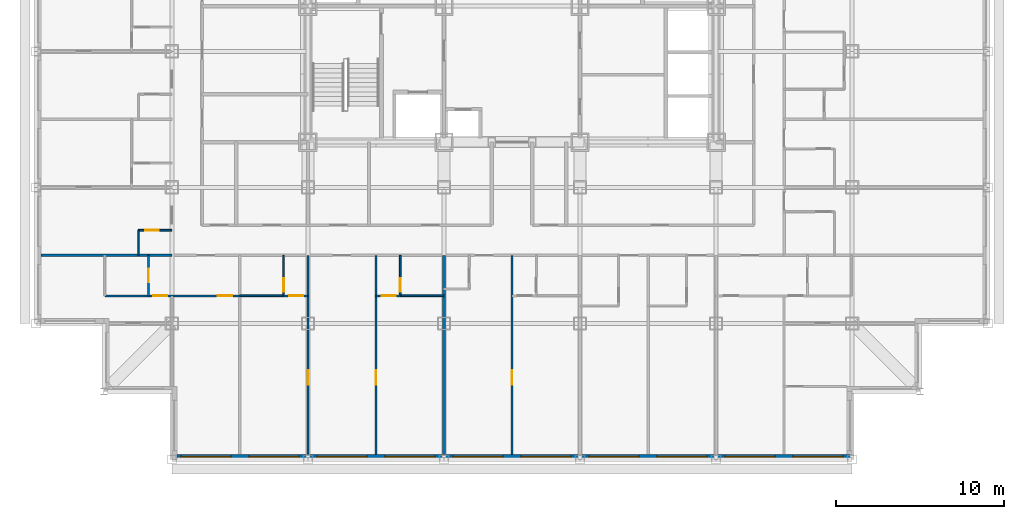
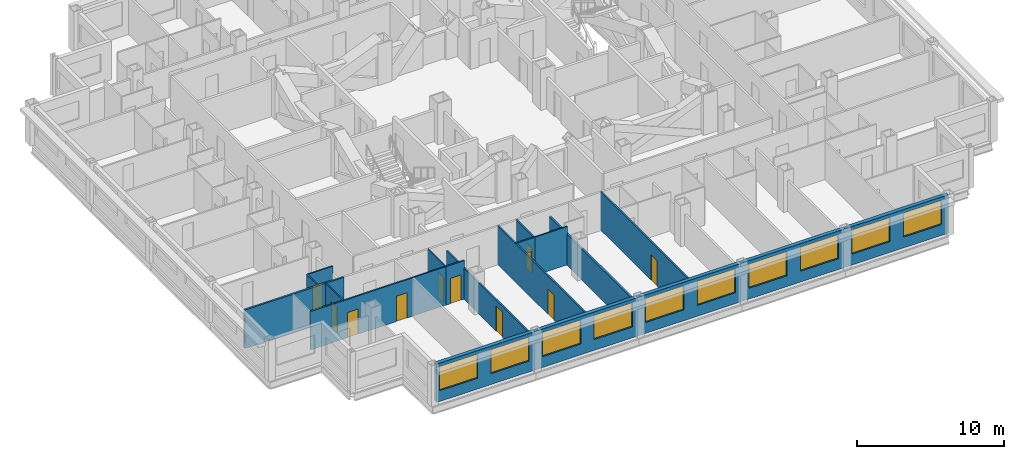
# One storey, part 4 of 13: 16 walls, 11 doors, 10 windows, 21 openings.
"""IFC4 building model written with IfcOpenShell, lengths in metres."""

from ifc_helpers import new_model, si_unit, direction, frame, frame_2d, origin, place, context, subcontext, project, spatial, rectangle, extrude, material, layer, layer_set, type_object, element, fill, save


model = new_model("IFC4")

# Units and contexts
model_context = context("Model", 3, precision=1e-05, world=origin(), true_north=direction((0.0, 1.0)))
body_context = subcontext(model_context, "Body", "Model", "MODEL_VIEW")
ifc_project = project(units=[si_unit("LENGTHUNIT", "METRE"), si_unit("AREAUNIT", "SQUARE_METRE"), si_unit("VOLUMEUNIT", "CUBIC_METRE"), si_unit("PLANEANGLEUNIT", "RADIAN"), si_unit("MASSUNIT", "GRAM", prefix="KILO")], contexts=[model_context])

# Site, building, storey
site_placement = place(None, origin())
site = spatial("IfcSite", under=ifc_project, at=site_placement, CompositionType="ELEMENT")
building_placement = place(site_placement, origin())
building = spatial("IfcBuilding", under=site, at=building_placement, Name="Kopane Lantern Tower", CompositionType="ELEMENT")
storey_placement = place(building_placement, frame((0.0, 0.0, 134.0)))
storey = spatial("IfcBuildingStorey", under=building, at=storey_placement, Name="L34", CompositionType="ELEMENT", Elevation=134.0)

# Wall, opening, door
ifc_material_1 = material(Name="Gypsum board on steel studs", Category="steel")
ifc_layer_1 = layer(ifc_material_1, 0.1201171875)
ifc_layer_set_1 = layer_set([ifc_layer_1], Name="APARTMENT INTERNAL WALL 120")
wall_type_1 = type_object("IfcWallType", Name="APARTMENT INTERNAL WALL 120", PredefinedType="PARTITIONING", material=ifc_layer_set_1)
wall_1_placement = place(storey_placement, frame((16.199951171875, 17.550048828125, 0.0), z_axis=(0.0, 0.0, 1.0), x_axis=(0.0, -1.0, 0.0)))
wall_1 = element("IfcWall", 1, at=wall_1_placement, inside=storey, type_object=wall_type_1, Name="Apartment Internal Wall 120 L34", PredefinedType="PARTITIONING", context=body_context, shape_type="SweptSolid", body=[
    extrude(rectangle(XDim=11.85009765625, YDim=0.1201171875, at=frame_2d((5.925048828125, 0.0))), origin(), (0.0, 0.0, 1.0), 2.577880859375),
])
opening_1_placement = place(wall_1_placement, frame((6.85009765625, 0.0, 0.0)))
opening_1 = element("IfcOpeningElement", 2, at=opening_1_placement, cuts=wall_1, Name="Opening L34-020", PredefinedType="OPENING", context=body_context, shape_type="SweptSolid", body=[
    extrude(rectangle(XDim=0.85009765625, YDim=2.10009765625, at=frame_2d((0.425048828125, 1.050048828125))), frame((0.0, 0.070068359375, 0.0), z_axis=(0.0, -1.0, 0.0), x_axis=(1.0, 0.0, 0.0)), (0.0, 0.0, 1.0), 0.14013671875),
])
ifc_material_2 = material(Name="Timber door set", Category="wood")
door_type_1 = type_object("IfcDoorType", Name="DOOR D4 850x2100", OperationType="SINGLE_SWING_LEFT", PredefinedType="DOOR", material=ifc_material_2)
door_1_placement = place(opening_1_placement, origin())
door_1 = element("IfcDoor", 3, at=door_1_placement, inside=storey, type_object=door_type_1, Name="Door L34-020", OperationType="SINGLE_SWING_RIGHT", OverallHeight=2.10009765625, OverallWidth=0.85009765625, PredefinedType="DOOR", context=body_context, shape_type="SweptSolid", body=[
    extrude(rectangle(XDim=0.85009765625, YDim=2.10009765625, at=frame_2d((0.425048828125, 1.050048828125))), frame((0.0, 0.02490234375, 0.0), z_axis=(0.0, -1.0, 0.0), x_axis=(1.0, 0.0, 0.0)), (0.0, 0.0, 1.0), 0.050048828125),
])
fill(opening_1, door_1)

wall_2_placement = place(storey_placement, frame((20.25, 17.550048828125, 0.0), z_axis=(0.0, 0.0, 1.0), x_axis=(0.0, -1.0, 0.0)))
wall_2 = element("IfcWall", 4, at=wall_2_placement, inside=storey, type_object=wall_type_1, Name="Apartment Internal Wall 120 L34", PredefinedType="PARTITIONING", context=body_context, shape_type="SweptSolid", body=[
    extrude(rectangle(XDim=11.85009765625, YDim=0.1201171875, at=frame_2d((5.925048828125, 0.0))), origin(), (0.0, 0.0, 1.0), 3.18994140625),
])
opening_2_placement = place(wall_2_placement, frame((6.85009765625, 0.0, 0.0)))
opening_2 = element("IfcOpeningElement", 5, at=opening_2_placement, cuts=wall_2, Name="Opening L34-022", PredefinedType="OPENING", context=body_context, shape_type="SweptSolid", body=[
    extrude(rectangle(XDim=0.85009765625, YDim=2.10009765625, at=frame_2d((0.425048828125, 1.050048828125))), frame((0.0, 0.070068359375, 0.0), z_axis=(0.0, -1.0, 0.0), x_axis=(1.0, 0.0, 0.0)), (0.0, 0.0, 1.0), 0.14013671875),
])
door_2_placement = place(opening_2_placement, origin())
door_2 = element("IfcDoor", 6, at=door_2_placement, inside=storey, type_object=door_type_1, Name="Door L34-022", OperationType="SINGLE_SWING_LEFT", OverallHeight=2.10009765625, OverallWidth=0.85009765625, PredefinedType="DOOR", context=body_context, shape_type="SweptSolid", body=[
    extrude(rectangle(XDim=0.85009765625, YDim=2.10009765625, at=frame_2d((0.425048828125, 1.050048828125))), frame((0.0, 0.02490234375, 0.0), z_axis=(0.0, -1.0, 0.0), x_axis=(1.0, 0.0, 0.0)), (0.0, 0.0, 1.0), 0.050048828125),
])
fill(opening_2, door_2)

wall_3_placement = place(storey_placement, frame((28.35009765625, 17.550048828125, 0.0), z_axis=(0.0, 0.0, 1.0), x_axis=(0.0, -1.0, 0.0)))
wall_3 = element("IfcWall", 7, at=wall_3_placement, inside=storey, type_object=wall_type_1, Name="Apartment Internal Wall 120 L34", PredefinedType="PARTITIONING", context=body_context, shape_type="SweptSolid", body=[
    extrude(rectangle(XDim=11.85009765625, YDim=0.1201171875, at=frame_2d((5.925048828125, 0.0))), origin(), (0.0, 0.0, 1.0), 3.18994140625),
])
opening_3_placement = place(wall_3_placement, frame((6.85009765625, 0.0, 0.0)))
opening_3 = element("IfcOpeningElement", 8, at=opening_3_placement, cuts=wall_3, Name="Opening L34-026", PredefinedType="OPENING", context=body_context, shape_type="SweptSolid", body=[
    extrude(rectangle(XDim=0.85009765625, YDim=2.10009765625, at=frame_2d((0.425048828125, 1.050048828125))), frame((0.0, 0.070068359375, 0.0), z_axis=(0.0, -1.0, 0.0), x_axis=(1.0, 0.0, 0.0)), (0.0, 0.0, 1.0), 0.14013671875),
])
door_3_placement = place(opening_3_placement, origin())
door_3 = element("IfcDoor", 9, at=door_3_placement, inside=storey, type_object=door_type_1, Name="Door L34-026", OperationType="SINGLE_SWING_LEFT", OverallHeight=2.10009765625, OverallWidth=0.85009765625, PredefinedType="DOOR", context=body_context, shape_type="SweptSolid", body=[
    extrude(rectangle(XDim=0.85009765625, YDim=2.10009765625, at=frame_2d((0.425048828125, 1.050048828125))), frame((0.0, 0.02490234375, 0.0), z_axis=(0.0, -1.0, 0.0), x_axis=(1.0, 0.0, 0.0)), (0.0, 0.0, 1.0), 0.050048828125),
])
fill(opening_3, door_3)

# Wall, openings, doors
wall_4_placement = place(storey_placement, frame((4.10009765625, 15.14990234375, 0.0), z_axis=(0.0, 0.0, 1.0), x_axis=(1.0, 0.0, 0.0)))
wall_4 = element("IfcWall", 10, at=wall_4_placement, inside=storey, type_object=wall_type_1, Name="Apartment Internal Wall 120 L34", PredefinedType="PARTITIONING", context=body_context, shape_type="SweptSolid", body=[
    extrude(rectangle(XDim=8.0498046875, YDim=0.1201171875, at=frame_2d((4.02490234375, 0.0))), origin(), (0.0, 0.0, 1.0), 3.18994140625),
])
opening_4_placement = place(wall_4_placement, frame((6.72509765625, 0.0, 0.0)))
opening_4 = element("IfcOpeningElement", 11, at=opening_4_placement, cuts=wall_4, Name="Opening L34-071", PredefinedType="OPENING", context=body_context, shape_type="SweptSolid", body=[
    extrude(rectangle(XDim=0.85009765625, YDim=2.10009765625, at=frame_2d((0.425048828125, 1.050048828125))), frame((0.0, 0.070068359375, 0.0), z_axis=(0.0, -1.0, 0.0), x_axis=(1.0, 0.0, 0.0)), (0.0, 0.0, 1.0), 0.14013671875),
])
opening_5_placement = place(wall_4_placement, frame((2.875, 0.0, 0.0)))
opening_5 = element("IfcOpeningElement", 12, at=opening_5_placement, cuts=wall_4, Name="Opening L34-073", PredefinedType="OPENING", context=body_context, shape_type="SweptSolid", body=[
    extrude(rectangle(XDim=0.85009765625, YDim=2.10009765625, at=frame_2d((0.425048828125, 1.050048828125))), frame((0.0, 0.070068359375, 0.0), z_axis=(0.0, -1.0, 0.0), x_axis=(1.0, 0.0, 0.0)), (0.0, 0.0, 1.0), 0.14013671875),
])
door_4_placement = place(opening_4_placement, origin())
door_4 = element("IfcDoor", 13, at=door_4_placement, inside=storey, type_object=door_type_1, Name="Door L34-071", OperationType="SINGLE_SWING_RIGHT", OverallHeight=2.10009765625, OverallWidth=0.85009765625, PredefinedType="DOOR", context=body_context, shape_type="SweptSolid", body=[
    extrude(rectangle(XDim=0.85009765625, YDim=2.10009765625, at=frame_2d((0.425048828125, 1.050048828125))), frame((0.0, 0.02490234375, 0.0), z_axis=(0.0, -1.0, 0.0), x_axis=(1.0, 0.0, 0.0)), (0.0, 0.0, 1.0), 0.050048828125),
])
fill(opening_4, door_4)
door_5_placement = place(opening_5_placement, origin())
door_5 = element("IfcDoor", 14, at=door_5_placement, inside=storey, type_object=door_type_1, Name="Door L34-073", OperationType="SINGLE_SWING_LEFT", OverallHeight=2.10009765625, OverallWidth=0.85009765625, PredefinedType="DOOR", context=body_context, shape_type="SweptSolid", body=[
    extrude(rectangle(XDim=0.85009765625, YDim=2.10009765625, at=frame_2d((0.425048828125, 1.050048828125))), frame((0.0, 0.02490234375, 0.0), z_axis=(0.0, -1.0, 0.0), x_axis=(1.0, 0.0, 0.0)), (0.0, 0.0, 1.0), 0.050048828125),
])
fill(opening_5, door_5)

# Wall, opening, door
wall_5_placement = place(storey_placement, frame((16.199951171875, 15.14990234375, 0.0), z_axis=(0.0, 0.0, 1.0), x_axis=(-1.0, 0.0, 0.0)))
wall_5 = element("IfcWall", 15, at=wall_5_placement, inside=storey, type_object=wall_type_1, Name="Apartment Internal Wall 120 L34", PredefinedType="PARTITIONING", context=body_context, shape_type="SweptSolid", body=[
    extrude(rectangle(XDim=1.4599609375, YDim=0.1201171875, at=frame_2d((0.72998046875, 0.0))), origin(), (0.0, 0.0, 1.0), 3.18994140625),
])
opening_6_placement = place(wall_5_placement, frame((0.27490234375, 0.0, 0.0)))
opening_6 = element("IfcOpeningElement", 16, at=opening_6_placement, cuts=wall_5, Name="Opening L34-087", PredefinedType="OPENING", context=body_context, shape_type="SweptSolid", body=[
    extrude(rectangle(XDim=0.85009765625, YDim=2.10009765625, at=frame_2d((0.425048828125, 1.050048828125))), frame((0.0, 0.070068359375, 0.0), z_axis=(0.0, -1.0, 0.0), x_axis=(1.0, 0.0, 0.0)), (0.0, 0.0, 1.0), 0.14013671875),
])
door_6_placement = place(opening_6_placement, origin())
door_6 = element("IfcDoor", 17, at=door_6_placement, inside=storey, type_object=door_type_1, Name="Door L34-087", OperationType="SINGLE_SWING_LEFT", OverallHeight=2.10009765625, OverallWidth=0.85009765625, PredefinedType="DOOR", context=body_context, shape_type="SweptSolid", body=[
    extrude(rectangle(XDim=0.85009765625, YDim=2.10009765625, at=frame_2d((0.425048828125, 1.050048828125))), frame((0.0, 0.02490234375, 0.0), z_axis=(0.0, -1.0, 0.0), x_axis=(1.0, 0.0, 0.0)), (0.0, 0.0, 1.0), 0.050048828125),
])
fill(opening_6, door_6)

wall_6_placement = place(storey_placement, frame((21.7099609375, 15.14990234375, 0.0), z_axis=(0.0, 0.0, 1.0), x_axis=(-1.0, 0.0, 0.0)))
wall_6 = element("IfcWall", 18, at=wall_6_placement, inside=storey, type_object=wall_type_1, Name="Apartment Internal Wall 120 L34", PredefinedType="PARTITIONING", context=body_context, shape_type="SweptSolid", body=[
    extrude(rectangle(XDim=1.4599609375, YDim=0.1201171875, at=frame_2d((0.72998046875, 0.0))), origin(), (0.0, 0.0, 1.0), 3.18994140625),
])
opening_7_placement = place(wall_6_placement, frame((0.27490234375, 0.0, 0.0)))
opening_7 = element("IfcOpeningElement", 19, at=opening_7_placement, cuts=wall_6, Name="Opening L34-088", PredefinedType="OPENING", context=body_context, shape_type="SweptSolid", body=[
    extrude(rectangle(XDim=0.85009765625, YDim=2.10009765625, at=frame_2d((0.425048828125, 1.050048828125))), frame((0.0, 0.070068359375, 0.0), z_axis=(0.0, -1.0, 0.0), x_axis=(1.0, 0.0, 0.0)), (0.0, 0.0, 1.0), 0.14013671875),
])
door_7_placement = place(opening_7_placement, origin())
door_7 = element("IfcDoor", 20, at=door_7_placement, inside=storey, type_object=door_type_1, Name="Door L34-088", OperationType="SINGLE_SWING_RIGHT", OverallHeight=2.10009765625, OverallWidth=0.85009765625, PredefinedType="DOOR", context=body_context, shape_type="SweptSolid", body=[
    extrude(rectangle(XDim=0.85009765625, YDim=2.10009765625, at=frame_2d((0.425048828125, 1.050048828125))), frame((0.0, 0.02490234375, 0.0), z_axis=(0.0, -1.0, 0.0), x_axis=(1.0, 0.0, 0.0)), (0.0, 0.0, 1.0), 0.050048828125),
])
fill(opening_7, door_7)

# Wall
ifc_material_3 = material(Name="Moisture-resistant board on steel studs", Category="steel")
ifc_layer_2 = layer(ifc_material_3, 0.10009765625)
ifc_layer_set_2 = layer_set([ifc_layer_2], Name="BATHROOM WALL 100")
wall_type_2 = type_object("IfcWallType", Name="BATHROOM WALL 100", PredefinedType="PARTITIONING", material=ifc_layer_set_2)
wall_7_placement = place(storey_placement, frame((12.14990234375, 15.14990234375, 0.0), z_axis=(0.0, 0.0, 1.0), x_axis=(1.0, 0.0, 0.0)))
element("IfcWall", 21, at=wall_7_placement, inside=storey, type_object=wall_type_2, Name="Bathroom Wall 100 L34", PredefinedType="PARTITIONING", context=body_context, shape_type="SweptSolid", body=[
    extrude(rectangle(XDim=2.60009765625, YDim=0.10009765625, at=frame_2d((1.300048828125, 0.0))), origin(), (0.0, 0.0, 1.0), 3.18994140625),
])

# Wall, opening, door
wall_8_placement = place(storey_placement, frame((14.75, 17.550048828125, 0.0), z_axis=(0.0, 0.0, 1.0), x_axis=(0.0, -1.0, 0.0)))
wall_8 = element("IfcWall", 22, at=wall_8_placement, inside=storey, type_object=wall_type_2, Name="Bathroom Wall 100 L34", PredefinedType="PARTITIONING", context=body_context, shape_type="SweptSolid", body=[
    extrude(rectangle(XDim=2.400146484375, YDim=0.10009765625, at=frame_2d((1.2001953125, 0.0))), origin(), (0.0, 0.0, 1.0), 3.18994140625),
])
opening_8_placement = place(wall_8_placement, frame((1.35009765625, 0.0, 0.0)))
opening_8 = element("IfcOpeningElement", 23, at=opening_8_placement, cuts=wall_8, Name="Opening L34-019", PredefinedType="OPENING", context=body_context, shape_type="SweptSolid", body=[
    extrude(rectangle(XDim=0.800048828125, YDim=2.10009765625, at=frame_2d((0.39990234375, 1.050048828125))), frame((0.0, 0.06005859375, 0.0), z_axis=(0.0, -1.0, 0.0), x_axis=(1.0, 0.0, 0.0)), (0.0, 0.0, 1.0), 0.1201171875),
])
ifc_material_4 = material(Name="Timber door set", Category="wood")
door_type_2 = type_object("IfcDoorType", Name="DOOR D2 800x2100", OperationType="SINGLE_SWING_LEFT", PredefinedType="DOOR", material=ifc_material_4)
door_8_placement = place(opening_8_placement, origin())
door_8 = element("IfcDoor", 24, at=door_8_placement, inside=storey, type_object=door_type_2, Name="Door L34-019", OperationType="SINGLE_SWING_RIGHT", OverallHeight=2.10009765625, OverallWidth=0.800048828125, PredefinedType="DOOR", context=body_context, shape_type="SweptSolid", body=[
    extrude(rectangle(XDim=0.800048828125, YDim=2.10009765625, at=frame_2d((0.39990234375, 1.050048828125))), frame((0.0, 0.02490234375, 0.0), z_axis=(0.0, -1.0, 0.0), x_axis=(1.0, 0.0, 0.0)), (0.0, 0.0, 1.0), 0.050048828125),
])
fill(opening_8, door_8)

# Wall
wall_9_placement = place(storey_placement, frame((21.699951171875, 15.14990234375, 0.0), z_axis=(0.0, 0.0, 1.0), x_axis=(1.0, 0.0, 0.0)))
element("IfcWall", 25, at=wall_9_placement, inside=storey, type_object=wall_type_2, Name="Bathroom Wall 100 L34", PredefinedType="PARTITIONING", context=body_context, shape_type="SweptSolid", body=[
    extrude(rectangle(XDim=2.60009765625, YDim=0.10009765625, at=frame_2d((1.300048828125, 0.0))), origin(), (0.0, 0.0, 1.0), 3.18994140625),
])

# Wall, opening, door
wall_10_placement = place(storey_placement, frame((21.699951171875, 17.550048828125, 0.0), z_axis=(0.0, 0.0, 1.0), x_axis=(0.0, -1.0, 0.0)))
wall_10 = element("IfcWall", 26, at=wall_10_placement, inside=storey, type_object=wall_type_2, Name="Bathroom Wall 100 L34", PredefinedType="PARTITIONING", context=body_context, shape_type="SweptSolid", body=[
    extrude(rectangle(XDim=2.400146484375, YDim=0.10009765625, at=frame_2d((1.2001953125, 0.0))), origin(), (0.0, 0.0, 1.0), 3.18994140625),
])
opening_9_placement = place(wall_10_placement, frame((1.35009765625, 0.0, 0.0)))
opening_9 = element("IfcOpeningElement", 27, at=opening_9_placement, cuts=wall_10, Name="Opening L34-021", PredefinedType="OPENING", context=body_context, shape_type="SweptSolid", body=[
    extrude(rectangle(XDim=0.800048828125, YDim=2.10009765625, at=frame_2d((0.39990234375, 1.050048828125))), frame((0.0, 0.06005859375, 0.0), z_axis=(0.0, -1.0, 0.0), x_axis=(1.0, 0.0, 0.0)), (0.0, 0.0, 1.0), 0.1201171875),
])
door_9_placement = place(opening_9_placement, origin())
door_9 = element("IfcDoor", 28, at=door_9_placement, inside=storey, type_object=door_type_2, Name="Door L34-021", OperationType="SINGLE_SWING_LEFT", OverallHeight=2.10009765625, OverallWidth=0.800048828125, PredefinedType="DOOR", context=body_context, shape_type="SweptSolid", body=[
    extrude(rectangle(XDim=0.800048828125, YDim=2.10009765625, at=frame_2d((0.39990234375, 1.050048828125))), frame((0.0, 0.02490234375, 0.0), z_axis=(0.0, -1.0, 0.0), x_axis=(1.0, 0.0, 0.0)), (0.0, 0.0, 1.0), 0.050048828125),
])
fill(opening_9, door_9)

# Wall
wall_11_placement = place(storey_placement, frame((6.10009765625, 17.550048828125, 0.0), z_axis=(0.0, 0.0, 1.0), x_axis=(0.0, 1.0, 0.0)))
element("IfcWall", 29, at=wall_11_placement, inside=storey, type_object=wall_type_2, Name="Bathroom Wall 100 L34", PredefinedType="PARTITIONING", context=body_context, shape_type="SweptSolid", body=[
    extrude(rectangle(XDim=1.5, YDim=0.10009765625, at=frame_2d((0.75, 0.0))), origin(), (0.0, 0.0, 1.0), 3.18994140625),
])

# Wall, opening, door
wall_12_placement = place(storey_placement, frame((8.10009765625, 19.050048828125, 0.0), z_axis=(0.0, 0.0, 1.0), x_axis=(-1.0, 0.0, 0.0)))
wall_12 = element("IfcWall", 30, at=wall_12_placement, inside=storey, type_object=wall_type_2, Name="Bathroom Wall 100 L34", PredefinedType="PARTITIONING", context=body_context, shape_type="SweptSolid", body=[
    extrude(rectangle(XDim=2.0, YDim=0.10009765625, at=frame_2d((1.0, 0.0))), origin(), (0.0, 0.0, 1.0), 3.18994140625),
])
opening_10_placement = place(wall_12_placement, frame((0.800048828125, 0.0, 0.0)))
opening_10 = element("IfcOpeningElement", 31, at=opening_10_placement, cuts=wall_12, Name="Opening L34-043", PredefinedType="OPENING", context=body_context, shape_type="SweptSolid", body=[
    extrude(rectangle(XDim=0.800048828125, YDim=2.10009765625, at=frame_2d((0.39990234375, 1.050048828125))), frame((0.0, 0.06005859375, 0.0), z_axis=(0.0, -1.0, 0.0), x_axis=(1.0, 0.0, 0.0)), (0.0, 0.0, 1.0), 0.1201171875),
])
door_10_placement = place(opening_10_placement, origin())
door_10 = element("IfcDoor", 32, at=door_10_placement, inside=storey, type_object=door_type_2, Name="Door L34-043", OperationType="SINGLE_SWING_RIGHT", OverallHeight=2.10009765625, OverallWidth=0.800048828125, PredefinedType="DOOR", context=body_context, shape_type="SweptSolid", body=[
    extrude(rectangle(XDim=0.800048828125, YDim=2.10009765625, at=frame_2d((0.39990234375, 1.050048828125))), frame((0.0, 0.02490234375, 0.0), z_axis=(0.0, -1.0, 0.0), x_axis=(1.0, 0.0, 0.0)), (0.0, 0.0, 1.0), 0.050048828125),
])
fill(opening_10, door_10)

wall_13_placement = place(storey_placement, frame((6.699951171875, 17.550048828125, 0.0), z_axis=(0.0, 0.0, 1.0), x_axis=(0.0, -1.0, 0.0)))
wall_13 = element("IfcWall", 33, at=wall_13_placement, inside=storey, type_object=wall_type_2, Name="Bathroom Wall 100 L34", PredefinedType="PARTITIONING", context=body_context, shape_type="SweptSolid", body=[
    extrude(rectangle(XDim=2.400146484375, YDim=0.10009765625, at=frame_2d((1.2001953125, 0.0))), origin(), (0.0, 0.0, 1.0), 3.18994140625),
])
opening_11_placement = place(wall_13_placement, frame((0.800048828125, 0.0, 0.0)))
opening_11 = element("IfcOpeningElement", 34, at=opening_11_placement, cuts=wall_13, Name="Opening L34-072", PredefinedType="OPENING", context=body_context, shape_type="SweptSolid", body=[
    extrude(rectangle(XDim=0.800048828125, YDim=2.10009765625, at=frame_2d((0.39990234375, 1.050048828125))), frame((0.0, 0.06005859375, 0.0), z_axis=(0.0, -1.0, 0.0), x_axis=(1.0, 0.0, 0.0)), (0.0, 0.0, 1.0), 0.1201171875),
])
door_11_placement = place(opening_11_placement, origin())
door_11 = element("IfcDoor", 35, at=door_11_placement, inside=storey, type_object=door_type_2, Name="Door L34-072", OperationType="SINGLE_SWING_RIGHT", OverallHeight=2.10009765625, OverallWidth=0.800048828125, PredefinedType="DOOR", context=body_context, shape_type="SweptSolid", body=[
    extrude(rectangle(XDim=0.800048828125, YDim=2.10009765625, at=frame_2d((0.39990234375, 1.050048828125))), frame((0.0, 0.02490234375, 0.0), z_axis=(0.0, -1.0, 0.0), x_axis=(1.0, 0.0, 0.0)), (0.0, 0.0, 1.0), 0.050048828125),
])
fill(opening_11, door_11)

# Walls
ifc_material_5 = material(Name="Gypsum board on steel studs", Category="steel")
ifc_layer_3 = layer(ifc_material_5, 0.14990234375)
ifc_layer_set_3 = layer_set([ifc_layer_3], Name="DEMISING WALL 150 EI 60")
wall_type_3 = type_object("IfcWallType", Name="DEMISING WALL 150 EI 60", PredefinedType="PARTITIONING", material=ifc_layer_set_3)
wall_14_placement = place(storey_placement, frame((24.300048828125, 17.550048828125, 0.0), z_axis=(0.0, 0.0, 1.0), x_axis=(0.0, -1.0, 0.0)))
element("IfcWall", 36, at=wall_14_placement, inside=storey, type_object=wall_type_3, Name="Demising Wall 150 Ei 60 L34", PredefinedType="PARTITIONING", context=body_context, shape_type="SweptSolid", body=[
    extrude(rectangle(XDim=11.85009765625, YDim=0.14990234375, at=frame_2d((5.925048828125, 0.0))), origin(), (0.0, 0.0, 1.0), 2.577880859375),
])
wall_15_placement = place(storey_placement, frame((0.300048828125, 17.550048828125, 0.0), z_axis=(0.0, 0.0, 1.0), x_axis=(1.0, 0.0, 0.0)))
element("IfcWall", 37, at=wall_15_placement, inside=storey, type_object=wall_type_3, Name="Demising Wall 150 Ei 60 L34", PredefinedType="PARTITIONING", context=body_context, shape_type="SweptSolid", body=[
    extrude(rectangle(XDim=7.800048828125, YDim=0.14990234375, at=frame_2d((3.89990234375, 0.0))), origin(), (0.0, 0.0, 1.0), 3.18994140625),
])

# Wall, openings, windows
ifc_material_6 = material(Name="Terracotta rainscreen on light steel framing", Category="masonry")
ifc_layer_4 = layer(ifc_material_6, 0.300048828125)
ifc_layer_set_4 = layer_set([ifc_layer_4], Name="EXTERNAL WALL EW1 300 TERRACOTTA")
wall_type_4 = type_object("IfcWallType", Name="EXTERNAL WALL EW1 300 TERRACOTTA", PredefinedType="SOLIDWALL", material=ifc_layer_set_4)
wall_16_placement = place(storey_placement, frame((8.39990234375, 5.550048828125, 0.0), z_axis=(0.0, 0.0, 1.0), x_axis=(1.0, 0.0, 0.0)))
wall_16 = element("IfcWall", 38, at=wall_16_placement, inside=storey, type_object=wall_type_4, Name="External wall S L34", PredefinedType="SOLIDWALL", context=body_context, shape_type="SweptSolid", body=[
    extrude(rectangle(XDim=40.2001953125, YDim=0.300048828125, at=frame_2d((20.10009765625, 0.0))), origin(), (0.0, 0.0, 1.0), 3.18994140625),
])
opening_12_placement = place(wall_16_placement, frame((0.22509765625, 0.0, 0.89990234375)))
opening_12 = element("IfcOpeningElement", 39, at=opening_12_placement, cuts=wall_16, Name="Opening WR300200", PredefinedType="OPENING", context=body_context, shape_type="SweptSolid", body=[
    extrude(rectangle(XDim=3.0, YDim=2.0, at=frame_2d((1.5, 1.0))), frame((0.0, 0.159912109375, 0.0), z_axis=(0.0, -1.0, 0.0), x_axis=(1.0, 0.0, 0.0)), (0.0, 0.0, 1.0), 0.320068359375),
])
opening_13_placement = place(wall_16_placement, frame((4.27490234375, 0.0, 0.89990234375)))
opening_13 = element("IfcOpeningElement", 40, at=opening_13_placement, cuts=wall_16, Name="Opening WR300200", PredefinedType="OPENING", context=body_context, shape_type="SweptSolid", body=[
    extrude(rectangle(XDim=3.0, YDim=2.0, at=frame_2d((1.5, 1.0))), frame((0.0, 0.159912109375, 0.0), z_axis=(0.0, -1.0, 0.0), x_axis=(1.0, 0.0, 0.0)), (0.0, 0.0, 1.0), 0.320068359375),
])
opening_14_placement = place(wall_16_placement, frame((8.324951171875, 0.0, 0.89990234375)))
opening_14 = element("IfcOpeningElement", 41, at=opening_14_placement, cuts=wall_16, Name="Opening WR300200", PredefinedType="OPENING", context=body_context, shape_type="SweptSolid", body=[
    extrude(rectangle(XDim=3.0, YDim=2.0, at=frame_2d((1.5, 1.0))), frame((0.0, 0.159912109375, 0.0), z_axis=(0.0, -1.0, 0.0), x_axis=(1.0, 0.0, 0.0)), (0.0, 0.0, 1.0), 0.320068359375),
])
opening_15_placement = place(wall_16_placement, frame((12.375, 0.0, 0.89990234375)))
opening_15 = element("IfcOpeningElement", 42, at=opening_15_placement, cuts=wall_16, Name="Opening WR300200", PredefinedType="OPENING", context=body_context, shape_type="SweptSolid", body=[
    extrude(rectangle(XDim=3.0, YDim=2.0, at=frame_2d((1.5, 1.0))), frame((0.0, 0.159912109375, 0.0), z_axis=(0.0, -1.0, 0.0), x_axis=(1.0, 0.0, 0.0)), (0.0, 0.0, 1.0), 0.320068359375),
])
opening_16_placement = place(wall_16_placement, frame((16.425048828125, 0.0, 0.89990234375)))
opening_16 = element("IfcOpeningElement", 43, at=opening_16_placement, cuts=wall_16, Name="Opening WR300200", PredefinedType="OPENING", context=body_context, shape_type="SweptSolid", body=[
    extrude(rectangle(XDim=3.0, YDim=2.0, at=frame_2d((1.5, 1.0))), frame((0.0, 0.159912109375, 0.0), z_axis=(0.0, -1.0, 0.0), x_axis=(1.0, 0.0, 0.0)), (0.0, 0.0, 1.0), 0.320068359375),
])
opening_17_placement = place(wall_16_placement, frame((20.47509765625, 0.0, 0.89990234375)))
opening_17 = element("IfcOpeningElement", 44, at=opening_17_placement, cuts=wall_16, Name="Opening WR300200", PredefinedType="OPENING", context=body_context, shape_type="SweptSolid", body=[
    extrude(rectangle(XDim=3.0, YDim=2.0, at=frame_2d((1.5, 1.0))), frame((0.0, 0.159912109375, 0.0), z_axis=(0.0, -1.0, 0.0), x_axis=(1.0, 0.0, 0.0)), (0.0, 0.0, 1.0), 0.320068359375),
])
opening_18_placement = place(wall_16_placement, frame((24.52490234375, 0.0, 0.89990234375)))
opening_18 = element("IfcOpeningElement", 45, at=opening_18_placement, cuts=wall_16, Name="Opening WR300200", PredefinedType="OPENING", context=body_context, shape_type="SweptSolid", body=[
    extrude(rectangle(XDim=3.0, YDim=2.0, at=frame_2d((1.5, 1.0))), frame((0.0, 0.159912109375, 0.0), z_axis=(0.0, -1.0, 0.0), x_axis=(1.0, 0.0, 0.0)), (0.0, 0.0, 1.0), 0.320068359375),
])
opening_19_placement = place(wall_16_placement, frame((28.574951171875, 0.0, 0.89990234375)))
opening_19 = element("IfcOpeningElement", 46, at=opening_19_placement, cuts=wall_16, Name="Opening WR300200", PredefinedType="OPENING", context=body_context, shape_type="SweptSolid", body=[
    extrude(rectangle(XDim=3.0, YDim=2.0, at=frame_2d((1.5, 1.0))), frame((0.0, 0.159912109375, 0.0), z_axis=(0.0, -1.0, 0.0), x_axis=(1.0, 0.0, 0.0)), (0.0, 0.0, 1.0), 0.320068359375),
])
opening_20_placement = place(wall_16_placement, frame((32.625, 0.0, 0.89990234375)))
opening_20 = element("IfcOpeningElement", 47, at=opening_20_placement, cuts=wall_16, Name="Opening WR300200", PredefinedType="OPENING", context=body_context, shape_type="SweptSolid", body=[
    extrude(rectangle(XDim=3.0, YDim=2.0, at=frame_2d((1.5, 1.0))), frame((0.0, 0.159912109375, 0.0), z_axis=(0.0, -1.0, 0.0), x_axis=(1.0, 0.0, 0.0)), (0.0, 0.0, 1.0), 0.320068359375),
])
opening_21_placement = place(wall_16_placement, frame((36.675048828125, 0.0, 0.89990234375)))
opening_21 = element("IfcOpeningElement", 48, at=opening_21_placement, cuts=wall_16, Name="Opening WR300200", PredefinedType="OPENING", context=body_context, shape_type="SweptSolid", body=[
    extrude(rectangle(XDim=3.0, YDim=2.0, at=frame_2d((1.5, 1.0))), frame((0.0, 0.159912109375, 0.0), z_axis=(0.0, -1.0, 0.0), x_axis=(1.0, 0.0, 0.0)), (0.0, 0.0, 1.0), 0.320068359375),
])
ifc_material_7 = material(Name="Aluminium and clear glass", Category="aluminium")
window_type = type_object("IfcWindowType", Name="RIBBON WINDOW WR300200 3000x2000", PartitioningType="SINGLE_PANEL", PredefinedType="WINDOW", material=ifc_material_7)
window_1_placement = place(opening_12_placement, origin())
window_1 = element("IfcWindow", 49, at=window_1_placement, inside=storey, type_object=window_type, Name="Window S L34", OverallHeight=2.0, OverallWidth=3.0, PartitioningType="SINGLE_PANEL", PredefinedType="WINDOW", context=body_context, shape_type="SweptSolid", body=[
    extrude(rectangle(XDim=3.0, YDim=2.0, at=frame_2d((1.5, 1.0))), frame((0.0, 0.030029296875, 0.0), z_axis=(0.0, -1.0, 0.0), x_axis=(1.0, 0.0, 0.0)), (0.0, 0.0, 1.0), 0.06005859375),
])
fill(opening_12, window_1)
window_2_placement = place(opening_13_placement, origin())
window_2 = element("IfcWindow", 50, at=window_2_placement, inside=storey, type_object=window_type, Name="Window S L34", OverallHeight=2.0, OverallWidth=3.0, PartitioningType="SINGLE_PANEL", PredefinedType="WINDOW", context=body_context, shape_type="SweptSolid", body=[
    extrude(rectangle(XDim=3.0, YDim=2.0, at=frame_2d((1.5, 1.0))), frame((0.0, 0.030029296875, 0.0), z_axis=(0.0, -1.0, 0.0), x_axis=(1.0, 0.0, 0.0)), (0.0, 0.0, 1.0), 0.06005859375),
])
fill(opening_13, window_2)
window_3_placement = place(opening_14_placement, origin())
window_3 = element("IfcWindow", 51, at=window_3_placement, inside=storey, type_object=window_type, Name="Window S L34", OverallHeight=2.0, OverallWidth=3.0, PartitioningType="SINGLE_PANEL", PredefinedType="WINDOW", context=body_context, shape_type="SweptSolid", body=[
    extrude(rectangle(XDim=3.0, YDim=2.0, at=frame_2d((1.5, 1.0))), frame((0.0, 0.030029296875, 0.0), z_axis=(0.0, -1.0, 0.0), x_axis=(1.0, 0.0, 0.0)), (0.0, 0.0, 1.0), 0.06005859375),
])
fill(opening_14, window_3)
window_4_placement = place(opening_15_placement, origin())
window_4 = element("IfcWindow", 52, at=window_4_placement, inside=storey, type_object=window_type, Name="Window S L34", OverallHeight=2.0, OverallWidth=3.0, PartitioningType="SINGLE_PANEL", PredefinedType="WINDOW", context=body_context, shape_type="SweptSolid", body=[
    extrude(rectangle(XDim=3.0, YDim=2.0, at=frame_2d((1.5, 1.0))), frame((0.0, 0.030029296875, 0.0), z_axis=(0.0, -1.0, 0.0), x_axis=(1.0, 0.0, 0.0)), (0.0, 0.0, 1.0), 0.06005859375),
])
fill(opening_15, window_4)
window_5_placement = place(opening_16_placement, origin())
window_5 = element("IfcWindow", 53, at=window_5_placement, inside=storey, type_object=window_type, Name="Window S L34", OverallHeight=2.0, OverallWidth=3.0, PartitioningType="SINGLE_PANEL", PredefinedType="WINDOW", context=body_context, shape_type="SweptSolid", body=[
    extrude(rectangle(XDim=3.0, YDim=2.0, at=frame_2d((1.5, 1.0))), frame((0.0, 0.030029296875, 0.0), z_axis=(0.0, -1.0, 0.0), x_axis=(1.0, 0.0, 0.0)), (0.0, 0.0, 1.0), 0.06005859375),
])
fill(opening_16, window_5)
window_6_placement = place(opening_17_placement, origin())
window_6 = element("IfcWindow", 54, at=window_6_placement, inside=storey, type_object=window_type, Name="Window S L34", OverallHeight=2.0, OverallWidth=3.0, PartitioningType="SINGLE_PANEL", PredefinedType="WINDOW", context=body_context, shape_type="SweptSolid", body=[
    extrude(rectangle(XDim=3.0, YDim=2.0, at=frame_2d((1.5, 1.0))), frame((0.0, 0.030029296875, 0.0), z_axis=(0.0, -1.0, 0.0), x_axis=(1.0, 0.0, 0.0)), (0.0, 0.0, 1.0), 0.06005859375),
])
fill(opening_17, window_6)
window_7_placement = place(opening_18_placement, origin())
window_7 = element("IfcWindow", 55, at=window_7_placement, inside=storey, type_object=window_type, Name="Window S L34", OverallHeight=2.0, OverallWidth=3.0, PartitioningType="SINGLE_PANEL", PredefinedType="WINDOW", context=body_context, shape_type="SweptSolid", body=[
    extrude(rectangle(XDim=3.0, YDim=2.0, at=frame_2d((1.5, 1.0))), frame((0.0, 0.030029296875, 0.0), z_axis=(0.0, -1.0, 0.0), x_axis=(1.0, 0.0, 0.0)), (0.0, 0.0, 1.0), 0.06005859375),
])
fill(opening_18, window_7)
window_8_placement = place(opening_19_placement, origin())
window_8 = element("IfcWindow", 56, at=window_8_placement, inside=storey, type_object=window_type, Name="Window S L34", OverallHeight=2.0, OverallWidth=3.0, PartitioningType="SINGLE_PANEL", PredefinedType="WINDOW", context=body_context, shape_type="SweptSolid", body=[
    extrude(rectangle(XDim=3.0, YDim=2.0, at=frame_2d((1.5, 1.0))), frame((0.0, 0.030029296875, 0.0), z_axis=(0.0, -1.0, 0.0), x_axis=(1.0, 0.0, 0.0)), (0.0, 0.0, 1.0), 0.06005859375),
])
fill(opening_19, window_8)
window_9_placement = place(opening_20_placement, origin())
window_9 = element("IfcWindow", 57, at=window_9_placement, inside=storey, type_object=window_type, Name="Window S L34", OverallHeight=2.0, OverallWidth=3.0, PartitioningType="SINGLE_PANEL", PredefinedType="WINDOW", context=body_context, shape_type="SweptSolid", body=[
    extrude(rectangle(XDim=3.0, YDim=2.0, at=frame_2d((1.5, 1.0))), frame((0.0, 0.030029296875, 0.0), z_axis=(0.0, -1.0, 0.0), x_axis=(1.0, 0.0, 0.0)), (0.0, 0.0, 1.0), 0.06005859375),
])
fill(opening_20, window_9)
window_10_placement = place(opening_21_placement, origin())
window_10 = element("IfcWindow", 58, at=window_10_placement, inside=storey, type_object=window_type, Name="Window S L34", OverallHeight=2.0, OverallWidth=3.0, PartitioningType="SINGLE_PANEL", PredefinedType="WINDOW", context=body_context, shape_type="SweptSolid", body=[
    extrude(rectangle(XDim=3.0, YDim=2.0, at=frame_2d((1.5, 1.0))), frame((0.0, 0.030029296875, 0.0), z_axis=(0.0, -1.0, 0.0), x_axis=(1.0, 0.0, 0.0)), (0.0, 0.0, 1.0), 0.06005859375),
])
fill(opening_21, window_10)

save(model, "model.ifc")
